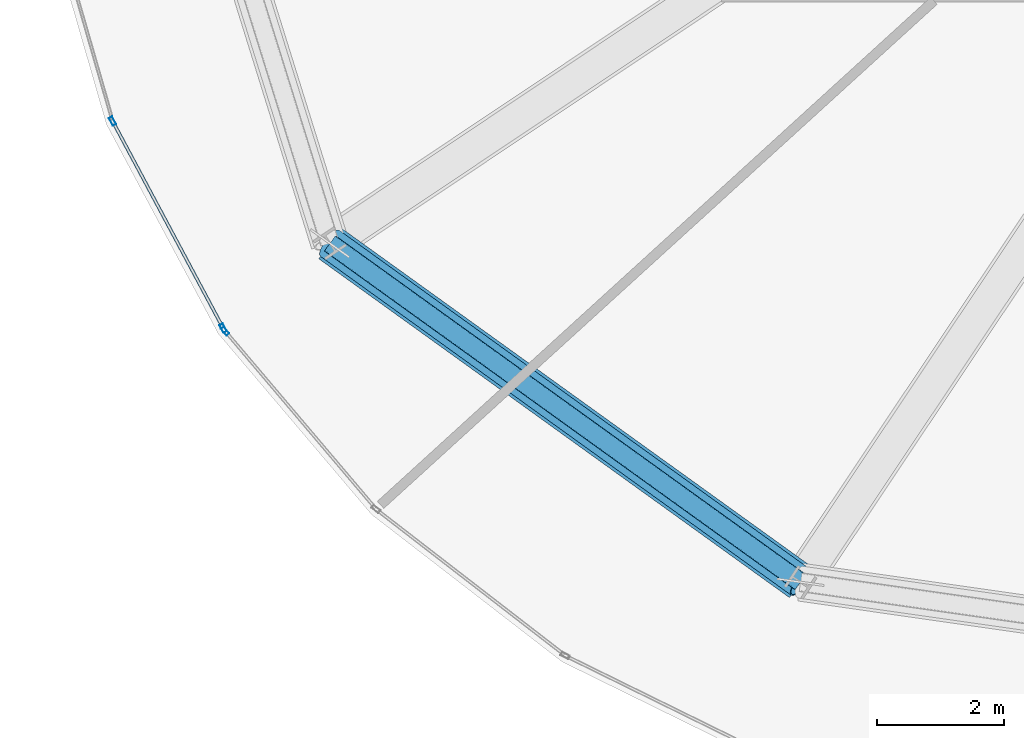
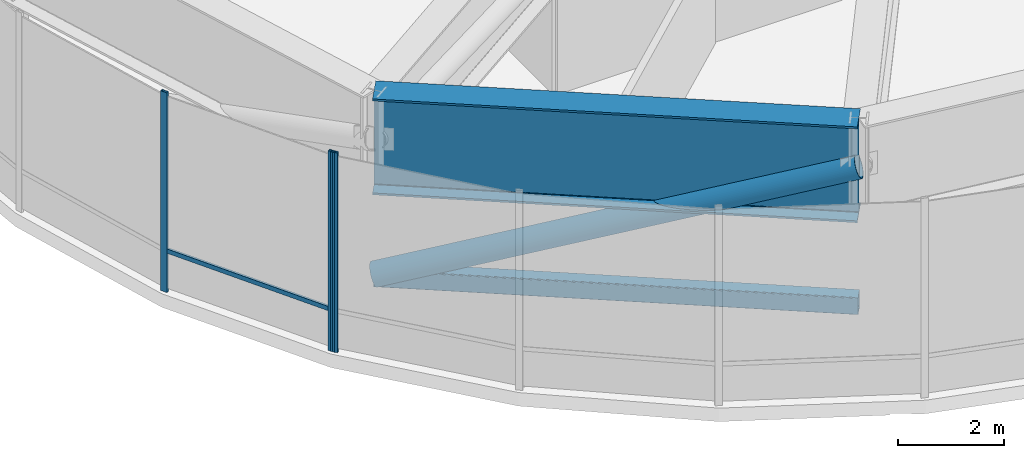
# One storey, part 3 of 30: 6 members, 1 beam, 2 elements without a shape of their own.
"""IFC4 building model written with IfcOpenShell, lengths in metres."""

from ifc_helpers import new_model, si_unit, direction, frame, origin, origin_2d, place, context, subcontext, project, spatial, hollow_rectangle, hollow_circle, i_section, extrude, source, transform, mapped, material, layer, layer_set, material_profile, profile_set, type_object, element, aggregate, save


model = new_model("IFC4")

# Units and contexts
model_context = context("Model", 3, precision=1e-05, world=origin(), true_north=direction((0.0, 1.0)))
body_context = subcontext(model_context, "Body", "Model", "MODEL_VIEW")
ifc_project = project(units=[si_unit("LENGTHUNIT", "METRE"), si_unit("AREAUNIT", "SQUARE_METRE"), si_unit("VOLUMEUNIT", "CUBIC_METRE"), si_unit("PLANEANGLEUNIT", "RADIAN"), si_unit("MASSUNIT", "GRAM", prefix="KILO"), si_unit("THERMODYNAMICTEMPERATUREUNIT", "KELVIN")], contexts=[model_context])

# Site, building, storey
site_placement = place(None, origin())
site = spatial("IfcSite", under=ifc_project, at=site_placement, CompositionType="ELEMENT")
building_placement = place(site_placement, origin())
building = spatial("IfcBuilding", under=site, at=building_placement, Name="Kethvar Cultural Tower", CompositionType="ELEMENT")
storey_placement = place(building_placement, frame((0.0, 0.0, 171.39990234375)))
storey = spatial("IfcBuildingStorey", under=building, at=storey_placement, Name="L44", CompositionType="ELEMENT", Elevation=171.39990234375)

# Beam
ifc_material_1 = material(Name="Steel S460M", Category="steel")
ifc_material_profile_1 = material_profile(ifc_material_1, i_section(OverallWidth=0.60009765625, OverallDepth=2.199951171875, WebThickness=0.028076171875, FlangeThickness=0.044921875, FilletRadius=0.02197265625, at=origin_2d()), Name="Steel S460M — PG2200x600x45x28")
ifc_profile_set_1 = profile_set([ifc_material_profile_1], Name="Steel S460M — PG2200x600x45x28")
beam_type = type_object("IfcBeamType", Name="BM-TR2200", PredefinedType="BEAM", material=ifc_profile_set_1)
shared_shape_1 = source(origin(), body_context, "Body", "SweptSolid", [
    extrude(i_section(OverallWidth=0.60009765625, OverallDepth=2.199951171875, WebThickness=0.028076171875, FlangeThickness=0.044921875, FilletRadius=0.02197265625, at=origin_2d()), origin(), (0.0, 0.0, 1.0), 9.155029296875),
])
beam_placement = place(storey_placement, frame((26.920654296875, 14.51708984375, 3.47802734375), z_axis=(0.811590987974, -0.584226042076, 0.0), x_axis=(0.584226042076, 0.811590987974, 0.0)))
element("IfcBeam", 1, at=beam_placement, inside=storey, type_object=beam_type, Name="L44 Ring Belt Girder BG-10", PredefinedType="BEAM", context=body_context, shape_type="MappedRepresentation", body=[
    mapped(shared_shape_1, transform((0.0, 0.0, 0.0), scale=1.0)),
])

# Members
ifc_material_profile_2 = material_profile(ifc_material_1, hollow_rectangle(XDim=0.300048828125, YDim=0.39990234375, WallThickness=0.01611328125, InnerFilletRadius=0.01611328125, OuterFilletRadius=0.031982421875, at=origin_2d()), Name="Steel S460M — RHS400x300x16")
ifc_profile_set_2 = profile_set([ifc_material_profile_2], Name="Steel S460M — RHS400x300x16")
member_type_1 = type_object("IfcMemberType", Name="MB-CHD-400", PredefinedType="CHORD", material=ifc_profile_set_2)
shared_shape_2 = source(origin(), body_context, "Body", "SweptSolid", [
    extrude(hollow_rectangle(XDim=0.300048828125, YDim=0.39990234375, WallThickness=0.01611328125, InnerFilletRadius=0.01611328125, OuterFilletRadius=0.031982421875, at=origin_2d()), origin(), (0.0, 0.0, 1.0), 9.155029296875),
])
member_1_placement = place(storey_placement, frame((26.920654296875, 14.51708984375, 0.35009765625), z_axis=(0.811590987974, -0.584226042076, 0.0), x_axis=(0.584226042076, 0.811590987974, 0.0)))
element("IfcMember", 2, at=member_1_placement, inside=storey, type_object=member_type_1, Name="L44 Ring Belt Bottom Chord BC-10", PredefinedType="CHORD", context=body_context, shape_type="MappedRepresentation", body=[
    mapped(shared_shape_2, transform((0.0, 0.0, 0.0), scale=1.0)),
])
ifc_material_profile_3 = material_profile(ifc_material_1, hollow_circle(Radius=0.25390625, WallThickness=0.02001953125, at=origin_2d()), Name="Steel S460M — CHS508x20")
ifc_profile_set_3 = profile_set([ifc_material_profile_3], Name="Steel S460M — CHS508x20")
member_type_2 = type_object("IfcMemberType", Name="MB-OUT-508", PredefinedType="BRACE", material=ifc_profile_set_3)
shared_shape_3 = source(origin(), body_context, "Body", "SweptSolid", [
    extrude(hollow_circle(Radius=0.25390625, WallThickness=0.02001953125, at=origin_2d()), origin(), (0.0, 0.0, 1.0), 9.674560546875),
])
member_2_placement = place(storey_placement, frame((26.920654296875, 14.51708984375, 0.35009765625), z_axis=(0.768002652694, -0.552848857042, 0.323311098979), x_axis=(0.584226042076, 0.811590987974, 0.0)))
element("IfcMember", 3, at=member_2_placement, inside=storey, type_object=member_type_2, Name="L44 Ring Belt Diagonal BD-10", PredefinedType="BRACE", context=body_context, shape_type="MappedRepresentation", body=[
    mapped(shared_shape_3, transform((0.0, 0.0, 0.0), scale=1.0)),
])

# Curtain wall, members
ifc_material_2 = material(Name="Aluminium 6063-T6", Category="aluminium")
ifc_layer = layer(ifc_material_2, 0.179931640625, Name="Aluminium 6063-T6", Category="aluminium")
ifc_layer_set = layer_set([ifc_layer], Name="Aluminium 6063-T6 (180 mm)")
curtain_wall_type = type_object("IfcCurtainWallType", Name="CW-SYS-04-Z34", PredefinedType="NOTDEFINED", material=ifc_layer_set)
curtain_wall_1_placement = place(storey_placement, origin())
curtain_wall_1 = element("IfcCurtainWall", 4, at=curtain_wall_1_placement, inside=storey, type_object=curtain_wall_type, Name="L44 Curtain Wall Run 03", PredefinedType="NOTDEFINED")
ifc_material_profile_4 = material_profile(ifc_material_2, hollow_rectangle(XDim=0.06005859375, YDim=0.139892578125, WallThickness=0.0048828125, at=origin_2d()), Name="Aluminium 6063-T6 — RHS140x60x5")
ifc_profile_set_4 = profile_set([ifc_material_profile_4], Name="Aluminium 6063-T6 — RHS140x60x5")
member_type_3 = type_object("IfcMemberType", Name="CW-SYS-04-Z34-MUL", PredefinedType="MULLION", material=ifc_profile_set_4)
shared_shape_4 = source(origin(), body_context, "Body", "SweptSolid", [
    extrude(hollow_rectangle(XDim=0.06005859375, YDim=0.139892578125, WallThickness=0.0048828125, at=origin_2d()), origin(), (0.0, 0.0, 1.0), 4.580078125),
])
member_3_placement = place(storey_placement, frame((23.489501953125, 16.44775390625, 0.0), z_axis=(0.0, 0.0, 1.0), x_axis=(0.882052868762, 0.471150439572, 0.0)))
member_3 = element("IfcMember", 5, at=member_3_placement, type_object=member_type_3, Name="CW-L44-R03 Mullion 6", PredefinedType="MULLION", context=body_context, shape_type="MappedRepresentation", body=[
    mapped(shared_shape_4, transform((0.0, 0.0, 0.0), scale=1.0)),
])
member_4_placement = place(storey_placement, frame((25.236083984375, 13.177978515625, 0.0), z_axis=(0.0, 0.0, 1.0), x_axis=(0.882052868762, 0.471150439572, 0.0)))
member_4 = element("IfcMember", 6, at=member_4_placement, type_object=member_type_3, Name="CW-L44-R03 Mullion 7", PredefinedType="MULLION", context=body_context, shape_type="MappedRepresentation", body=[
    mapped(shared_shape_4, transform((0.0, 0.0, 0.0), scale=1.0)),
])

# Curtain wall, member
curtain_wall_2_placement = place(storey_placement, origin())
curtain_wall_2 = element("IfcCurtainWall", 7, at=curtain_wall_2_placement, inside=storey, type_object=curtain_wall_type, Name="L44 Curtain Wall Run 04", PredefinedType="NOTDEFINED")
member_5_placement = place(storey_placement, frame((25.2666015625, 13.133056640625, 0.0), z_axis=(0.0, 0.0, 1.0), x_axis=(0.762758631151, 0.646683284618, 0.0)))
member_5 = element("IfcMember", 8, at=member_5_placement, type_object=member_type_3, Name="CW-L44-R04 Mullion 1", PredefinedType="MULLION", context=body_context, shape_type="MappedRepresentation", body=[
    mapped(shared_shape_4, transform((0.0, 0.0, 0.0), scale=1.0)),
])
aggregate(curtain_wall_2, [member_5])

# Member
ifc_material_profile_5 = material_profile(ifc_material_2, hollow_rectangle(XDim=0.050048828125, YDim=0.10009765625, WallThickness=0.00390625, at=origin_2d()), Name="Aluminium 6063-T6 — RHS100x50x4")
ifc_profile_set_5 = profile_set([ifc_material_profile_5], Name="Aluminium 6063-T6 — RHS100x50x4")
member_type_4 = type_object("IfcMemberType", Name="CW-SYS-04-Z34-TRN", PredefinedType="USERDEFINED", material=ifc_profile_set_5)
shared_shape_5 = source(origin(), body_context, "Body", "SweptSolid", [
    extrude(hollow_rectangle(XDim=0.050048828125, YDim=0.10009765625, WallThickness=0.00390625, at=origin_2d()), origin(), (0.0, 0.0, 1.0), 3.65966796875),
])
member_6_placement = place(storey_placement, frame((23.509765625, 16.40966796875, 0.9501953125), z_axis=(0.471173287694, -0.882040664008, 0.0), x_axis=(0.882040664008, 0.471173287694, 0.0)))
member_6 = element("IfcMember", 9, at=member_6_placement, type_object=member_type_4, Name="CW-L44-R03 Transom 6", ObjectType="TRANSOM", PredefinedType="USERDEFINED", context=body_context, shape_type="MappedRepresentation", body=[
    mapped(shared_shape_5, transform((0.0, 0.0, 0.0), scale=1.0)),
])

aggregate(curtain_wall_1, [member_3, member_4, member_6])

save(model, "model.ifc")
